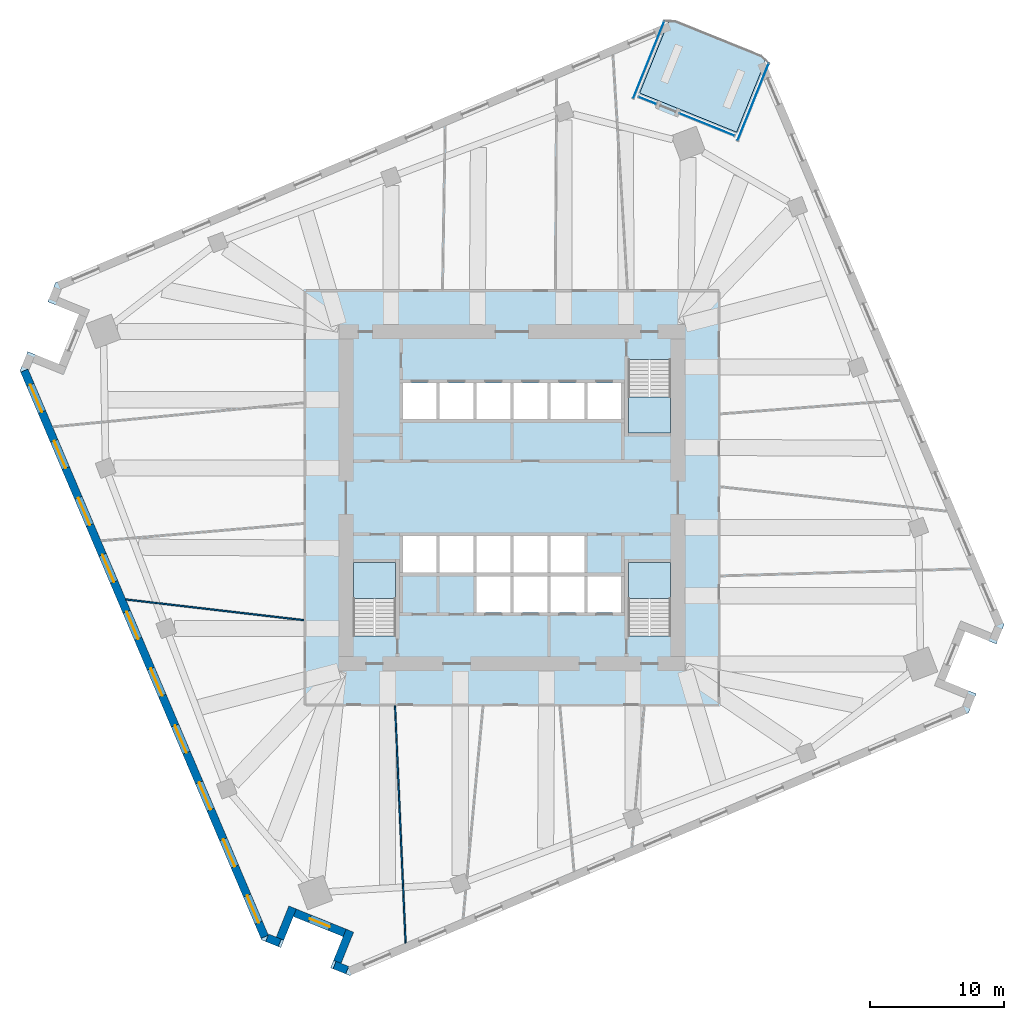
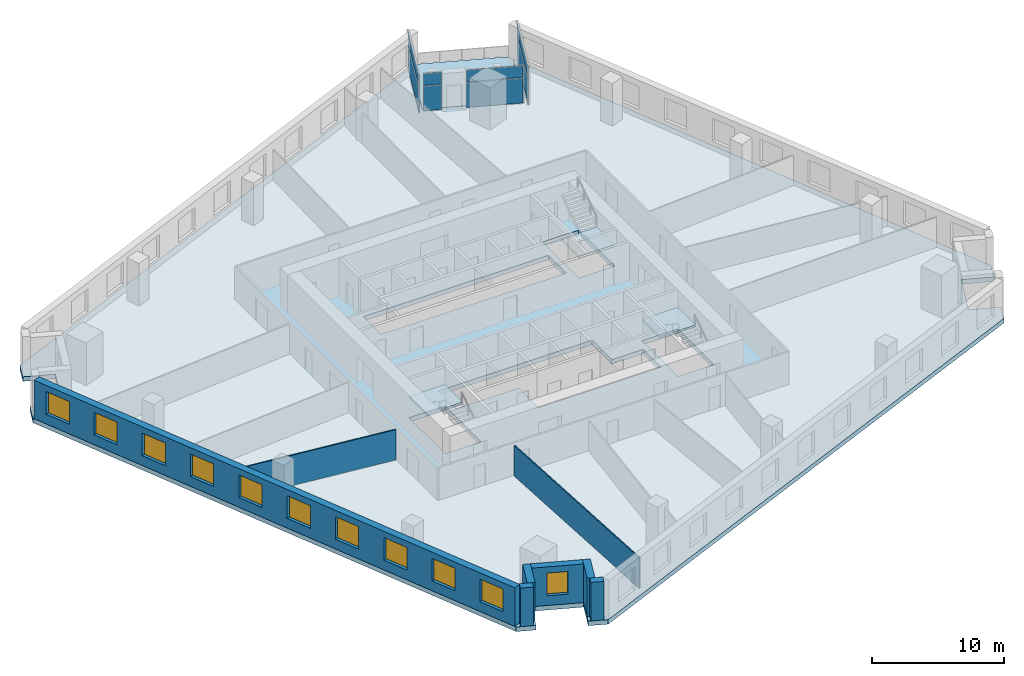
# One storey, part 5 of 12: 11 windows, 8 plates, 8 walls, 5 slabs, 11 openings, 7 elements without a shape of their own.
"""IFC4 building model written with IfcOpenShell, lengths in metres."""

from ifc_helpers import new_model, si_unit, direction, frame, frame_2d, origin, origin_2d, place, context, subcontext, project, spatial, polyline, rectangle, outline, extrude, material, layer, layer_set, type_object, element, fill, aggregate, save


model = new_model("IFC4")

# Units and contexts
model_context = context("Model", 3, precision=1e-05, world=origin(), true_north=direction((0.0, 1.0)))
body_context = subcontext(model_context, "Body", "Model", "MODEL_VIEW")
ifc_project = project(units=[si_unit("LENGTHUNIT", "METRE"), si_unit("AREAUNIT", "SQUARE_METRE"), si_unit("VOLUMEUNIT", "CUBIC_METRE"), si_unit("PLANEANGLEUNIT", "RADIAN"), si_unit("MASSUNIT", "GRAM", prefix="KILO")], contexts=[model_context])

# Site, building, storey
site_placement = place(None, origin())
site = spatial("IfcSite", under=ifc_project, at=site_placement, CompositionType="ELEMENT")
building_placement = place(site_placement, origin())
building = spatial("IfcBuilding", under=site, at=building_placement, Name="Dilmun Exchange Tower", CompositionType="ELEMENT")
storey_placement = place(building_placement, frame((0.0, 0.0, 118.10009765625)))
storey = spatial("IfcBuildingStorey", under=building, at=storey_placement, Name="L27", CompositionType="ELEMENT", Elevation=118.10009765625)

# Stair, slab
ifc_material_1 = material(Name="Concrete C40/50", Category="concrete")
stair_type = type_object("IfcStairType", Name="Exit stair 1500 half-turn", PredefinedType="HALF_TURN_STAIR", material=ifc_material_1)
stair_1_placement = place(storey_placement, origin())
stair_1 = element("IfcStair", 1, at=stair_1_placement, inside=storey, type_object=stair_type, Name="L27 Protected exit stair ST1", PredefinedType="HALF_TURN_STAIR")
ifc_layer_1 = layer(ifc_material_1, 0.199951171875)
ifc_layer_set_1 = layer_set([ifc_layer_1], Name="Concrete C40/50")
slab_type_1 = type_object("IfcSlabType", Name="Exit stair landing 200", PredefinedType="LANDING", material=ifc_layer_set_1)
slab_1_placement = place(storey_placement, frame((0.0, 0.0, 1.7998046875)))
slab_1 = element("IfcSlab", 2, at=slab_1_placement, type_object=slab_type_1, Name="ST1 landing 1", PredefinedType="LANDING", context=body_context, shape_type="SweptSolid", body=[
    extrude(outline(polyline([(8.64990234375, 7.5), (8.64990234375, 4.800048828125), (11.800048828125, 4.800048828125), (11.800048828125, 7.5), (8.64990234375, 7.5)])), origin(), (0.0, 0.0, 1.0), 0.2001953125),
])
aggregate(stair_1, [slab_1])

stair_2_placement = place(storey_placement, origin())
stair_2 = element("IfcStair", 3, at=stair_2_placement, inside=storey, type_object=stair_type, Name="L27 Protected exit stair ST2", PredefinedType="HALF_TURN_STAIR")
slab_2_placement = place(storey_placement, frame((0.0, 0.0, 1.7998046875)))
slab_2 = element("IfcSlab", 4, at=slab_2_placement, type_object=slab_type_1, Name="ST2 landing 1", PredefinedType="LANDING", context=body_context, shape_type="SweptSolid", body=[
    extrude(outline(polyline([(-8.64990234375, -7.5), (-8.64990234375, -4.800048828125), (-11.800048828125, -4.800048828125), (-11.800048828125, -7.5), (-8.64990234375, -7.5)])), origin(), (0.0, 0.0, 1.0), 0.2001953125),
])
aggregate(stair_2, [slab_2])

stair_3_placement = place(storey_placement, origin())
stair_3 = element("IfcStair", 5, at=stair_3_placement, inside=storey, type_object=stair_type, Name="L27 Protected exit stair ST3", PredefinedType="HALF_TURN_STAIR")
slab_3_placement = place(storey_placement, frame((0.0, 0.0, 1.7998046875)))
slab_3 = element("IfcSlab", 6, at=slab_3_placement, type_object=slab_type_1, Name="ST3 landing 1", PredefinedType="LANDING", context=body_context, shape_type="SweptSolid", body=[
    extrude(outline(polyline([(11.800048828125, -7.5), (11.800048828125, -4.800048828125), (8.64990234375, -4.800048828125), (8.64990234375, -7.5), (11.800048828125, -7.5)])), origin(), (0.0, 0.0, 1.0), 0.2001953125),
])
aggregate(stair_3, [slab_3])

# Curtain wall, plates
ifc_material_2 = material(Name="Anodised aluminium and clear glass", Category="aluminium")
curtain_wall_type = type_object("IfcCurtainWallType", Name="Garden corner glazing", PredefinedType="NOTDEFINED", material=ifc_material_2)
curtain_wall_1_placement = place(storey_placement, origin())
curtain_wall_1 = element("IfcCurtainWall", 7, at=curtain_wall_1_placement, inside=storey, type_object=curtain_wall_type, Name="Garden corner glazing run GC1.1", PredefinedType="NOTDEFINED")
ifc_material_3 = material(Name="Clear glass", Category="glass")
ifc_layer_2 = layer(ifc_material_3, 0.028076171875)
ifc_layer_set_2 = layer_set([ifc_layer_2], Name="Clear glass")
plate_type = type_object("IfcPlateType", Name="Garden corner glazing glass panel 28", PredefinedType="CURTAIN_PANEL", material=ifc_layer_set_2)
plate_1_placement = place(storey_placement, frame((17.931884765625, 29.425048828125, 0.059814453125), z_axis=(0.0, 0.0, 1.0), x_axis=(-0.374612333812, -0.927181535276, 0.0)))
plate_1 = element("IfcPlate", 8, at=plate_1_placement, type_object=plate_type, Name="GC1.1 panel 1.1", PredefinedType="CURTAIN_PANEL", context=body_context, shape_type="SweptSolid", body=[
    extrude(rectangle(XDim=6.12646484375, YDim=0.028076171875, at=origin_2d()), origin(), (0.0, 0.0, 1.0), 2.31005859375),
])
plate_2_placement = place(storey_placement, frame((17.931884765625, 29.425048828125, 2.4296875), z_axis=(0.0, 0.0, 1.0), x_axis=(-0.374612333812, -0.927181535276, 0.0)))
plate_2 = element("IfcPlate", 9, at=plate_2_placement, type_object=plate_type, Name="GC1.1 panel 1.2", PredefinedType="CURTAIN_PANEL", context=body_context, shape_type="SweptSolid", body=[
    extrude(rectangle(XDim=6.12646484375, YDim=0.028076171875, at=origin_2d()), origin(), (0.0, 0.0, 1.0), 1.090087890625),
])
aggregate(curtain_wall_1, [plate_1, plate_2])

curtain_wall_2_placement = place(storey_placement, origin())
curtain_wall_2 = element("IfcCurtainWall", 10, at=curtain_wall_2_placement, inside=storey, type_object=curtain_wall_type, Name="Garden corner glazing run GC2.1", PredefinedType="NOTDEFINED")
plate_3_placement = place(storey_placement, frame((14.514892578125, 27.7607421875, 0.059814453125), z_axis=(0.0, 0.0, 1.0), x_axis=(-0.927179054132, 0.374618474689, 0.0)))
plate_3 = element("IfcPlate", 11, at=plate_3_placement, type_object=plate_type, Name="GC2.1 panel 1.1", PredefinedType="CURTAIN_PANEL", context=body_context, shape_type="SweptSolid", body=[
    extrude(rectangle(XDim=4.369140625, YDim=0.028076171875, at=origin_2d()), origin(), (0.0, 0.0, 1.0), 2.31005859375),
])
plate_4_placement = place(storey_placement, frame((14.514892578125, 27.7607421875, 2.4296875), z_axis=(0.0, 0.0, 1.0), x_axis=(-0.927179054132, 0.374618474689, 0.0)))
plate_4 = element("IfcPlate", 12, at=plate_4_placement, type_object=plate_type, Name="GC2.1 panel 1.2", PredefinedType="CURTAIN_PANEL", context=body_context, shape_type="SweptSolid", body=[
    extrude(rectangle(XDim=4.369140625, YDim=0.028076171875, at=origin_2d()), origin(), (0.0, 0.0, 1.0), 1.090087890625),
])
aggregate(curtain_wall_2, [plate_3, plate_4])

curtain_wall_3_placement = place(storey_placement, origin())
curtain_wall_3 = element("IfcCurtainWall", 13, at=curtain_wall_3_placement, inside=storey, type_object=curtain_wall_type, Name="Garden corner glazing run GC2.3", PredefinedType="NOTDEFINED")
plate_5_placement = place(storey_placement, frame((10.07470703125, 29.5546875, 0.059814453125), z_axis=(0.0, 0.0, 1.0), x_axis=(-0.927192953177, 0.374584072778, 0.0)))
plate_5 = element("IfcPlate", 14, at=plate_5_placement, type_object=plate_type, Name="GC2.3 panel 1.1", PredefinedType="CURTAIN_PANEL", context=body_context, shape_type="SweptSolid", body=[
    extrude(rectangle(XDim=1.369140625, YDim=0.028076171875, at=origin_2d()), origin(), (0.0, 0.0, 1.0), 2.31005859375),
])
plate_6_placement = place(storey_placement, frame((10.07470703125, 29.5546875, 2.4296875), z_axis=(0.0, 0.0, 1.0), x_axis=(-0.927192953177, 0.374584072778, 0.0)))
plate_6 = element("IfcPlate", 15, at=plate_6_placement, type_object=plate_type, Name="GC2.3 panel 1.2", PredefinedType="CURTAIN_PANEL", context=body_context, shape_type="SweptSolid", body=[
    extrude(rectangle(XDim=1.369140625, YDim=0.028076171875, at=origin_2d()), origin(), (0.0, 0.0, 1.0), 1.090087890625),
])
aggregate(curtain_wall_3, [plate_5, plate_6])

curtain_wall_4_placement = place(storey_placement, origin())
curtain_wall_4 = element("IfcCurtainWall", 16, at=curtain_wall_4_placement, inside=storey, type_object=curtain_wall_type, Name="Garden corner glazing run GC3.1", PredefinedType="NOTDEFINED")
plate_7_placement = place(storey_placement, frame((10.163818359375, 32.563720703125, 0.059814453125), z_axis=(0.0, 0.0, 1.0), x_axis=(0.374598571247, 0.927187095693, 0.0)))
plate_7 = element("IfcPlate", 17, at=plate_7_placement, type_object=plate_type, Name="GC3.1 panel 1.1", PredefinedType="CURTAIN_PANEL", context=body_context, shape_type="SweptSolid", body=[
    extrude(rectangle(XDim=6.12646484375, YDim=0.028076171875, at=origin_2d()), origin(), (0.0, 0.0, 1.0), 2.31005859375),
])
plate_8_placement = place(storey_placement, frame((10.163818359375, 32.563720703125, 2.4296875), z_axis=(0.0, 0.0, 1.0), x_axis=(0.374598571247, 0.927187095693, 0.0)))
plate_8 = element("IfcPlate", 18, at=plate_8_placement, type_object=plate_type, Name="GC3.1 panel 1.2", PredefinedType="CURTAIN_PANEL", context=body_context, shape_type="SweptSolid", body=[
    extrude(rectangle(XDim=6.12646484375, YDim=0.028076171875, at=origin_2d()), origin(), (0.0, 0.0, 1.0), 1.090087890625),
])
aggregate(curtain_wall_4, [plate_7, plate_8])

# Slabs
ifc_layer_3 = layer(ifc_material_1, 0.419921875)
ifc_layer_set_3 = layer_set([ifc_layer_3], Name="Concrete C40/50")
slab_type_2 = type_object("IfcSlabType", Name="RC floor slab 420", PredefinedType="FLOOR", material=ifc_layer_set_3)
slab_4_placement = place(storey_placement, frame((0.0, 0.0, -0.420166015625)))
element("IfcSlab", 19, at=slab_4_placement, inside=storey, type_object=slab_type_2, Name="Floor slab", PredefinedType="FLOOR", context=body_context, shape_type="SweptSolid", body=[
    extrude(outline(polyline([(36.026611328125, -10.873291015625), (33.708740234375, -9.93701171875), (32.21044921875, -13.6455078125), (34.5283203125, -14.58203125), (33.953125, -16.005859375), (-12.072021484375, -35.54248046875), (-13.495849609375, -34.96728515625), (-12.559326171875, -32.649169921875), (-16.26806640625, -31.15087890625), (-17.20458984375, -33.46875), (-18.62841796875, -32.8935546875), (-36.60205078125, 9.44970703125), (-36.026611328125, 10.873291015625), (-33.708740234375, 9.93701171875), (-32.21044921875, 13.6455078125), (-34.5283203125, 14.58203125), (-33.953125, 16.005859375), (11.61181640625, 35.346923828125), (9.49658203125, 30.11181640625), (16.70849609375, 27.197998046875), (18.82373046875, 32.433349609375), (36.60205078125, -9.44970703125), (36.026611328125, -10.873291015625)]), holes=[polyline([(-8.64990234375, -4.800048828125), (-11.800048828125, -4.800048828125), (-11.800048828125, -10.294921875), (-8.64990234375, -10.294921875), (-8.64990234375, -4.800048828125)]), polyline([(11.800048828125, -4.800048828125), (8.64990234375, -4.800048828125), (8.64990234375, -10.294921875), (11.800048828125, -10.294921875), (11.800048828125, -4.800048828125)]), polyline([(-8.125, -2.85009765625), (-8.125, -5.550048828125), (-2.625, -5.550048828125), (-2.625, -8.550048828125), (8.125, -8.550048828125), (8.125, -5.85009765625), (5.375, -5.85009765625), (5.375, -2.85009765625), (-8.125, -2.85009765625)]), polyline([(-8.125, 5.85009765625), (8.125, 5.85009765625), (8.125, 8.550048828125), (-8.125, 8.550048828125), (-8.125, 5.85009765625)]), polyline([(8.64990234375, 10.294921875), (8.64990234375, 4.800048828125), (11.800048828125, 4.800048828125), (11.800048828125, 10.294921875), (8.64990234375, 10.294921875)])]), origin(), (0.0, 0.0, 1.0), 0.420166015625),
])
ifc_layer_4 = layer(ifc_material_1, 0.300048828125)
ifc_layer_set_4 = layer_set([ifc_layer_4], Name="Concrete C40/50")
slab_type_3 = type_object("IfcSlabType", Name="RC garden terrace slab 300", PredefinedType="FLOOR", material=ifc_layer_set_4)
slab_5_placement = place(storey_placement, frame((0.0, 0.0, -0.300048828125)))
element("IfcSlab", 20, at=slab_5_placement, inside=storey, type_object=slab_type_3, Name="Garden terrace slab", PredefinedType="FLOOR", context=body_context, shape_type="SweptSolid", body=[
    extrude(outline(polyline([(9.49658203125, 30.11181640625), (11.61181640625, 35.346923828125), (12.072021484375, 35.54248046875), (18.62841796875, 32.8935546875), (18.82373046875, 32.433349609375), (16.70849609375, 27.197998046875), (9.49658203125, 30.11181640625)])), origin(), (0.0, 0.0, 1.0), 0.300048828125),
])

# Walls
ifc_material_4 = material(Name="Partition 100")
ifc_layer_5 = layer(ifc_material_4, 0.10009765625)
ifc_layer_set_5 = layer_set([ifc_layer_5], Name="Partition 100")
wall_type_1 = type_object("IfcWallType", Name="Partition 100", PredefinedType="PARTITIONING", material=ifc_layer_set_5)
wall_1_placement = place(storey_placement, frame((-28.724853515625, -7.567138671875, 0.0), z_axis=(0.0, 0.0, 1.0), x_axis=(0.993302982739, -0.115538670939, 0.0)))
element("IfcWall", 21, at=wall_1_placement, inside=storey, type_object=wall_type_1, Name="Partition", PredefinedType="PARTITIONING", context=body_context, shape_type="SweptSolid", body=[
    extrude(rectangle(XDim=13.33349609375, YDim=0.10009765625, at=frame_2d((6.666748046875, 0.0))), origin(), (0.0, 0.0, 1.0), 2.829833984375),
])
wall_2_placement = place(storey_placement, frame((-8.70556640625, -15.477294921875, 0.0), z_axis=(0.0, 0.0, 1.0), x_axis=(0.044654718462, -0.999002480537, 0.0)))
element("IfcWall", 22, at=wall_2_placement, inside=storey, type_object=wall_type_1, Name="Partition", PredefinedType="PARTITIONING", context=body_context, shape_type="SweptSolid", body=[
    extrude(rectangle(XDim=17.664794921875, YDim=0.10009765625, at=frame_2d((8.83251953125, 0.0))), origin(), (0.0, 0.0, 1.0), 2.829833984375),
])

# Wall, openings, windows
ifc_material_5 = material(Name="Precast concrete C50/60", Category="concrete")
ifc_layer_6 = layer(ifc_material_5, 0.60009765625)
ifc_layer_set_6 = layer_set([ifc_layer_6], Name="Precast concrete C50/60")
wall_type_2 = type_object("IfcWallType", Name="Precast stone-clad wall 600", PredefinedType="STANDARD", material=ifc_layer_set_6)
wall_3_placement = place(storey_placement, frame((-36.27734375, 9.452392578125, 0.0), z_axis=(0.0, 0.0, 1.0), x_axis=(0.39073607599, -0.920502753347, 0.0)))
wall_3 = element("IfcWall", 23, at=wall_3_placement, inside=storey, type_object=wall_type_2, Name="Facade wall L27-09", PredefinedType="STANDARD", context=body_context, shape_type="SweptSolid", body=[
    extrude(rectangle(XDim=45.75146484375, YDim=0.60009765625, at=frame_2d((22.875732421875, 0.0))), origin(), (0.0, 0.0, 1.0), 3.579833984375),
])
opening_1_placement = place(wall_3_placement, frame((1.137939453125, 0.0, 0.89990234375)))
opening_1 = element("IfcOpeningElement", 24, at=opening_1_placement, cuts=wall_3, Name="Opening W220-210", PredefinedType="OPENING", context=body_context, shape_type="SweptSolid", body=[
    extrude(rectangle(XDim=2.199951171875, YDim=2.10009765625, at=frame_2d((1.10009765625, 1.050048828125))), frame((0.0, 0.31005859375, 0.0), z_axis=(0.0, -1.0, 0.0), x_axis=(1.0, 0.0, 0.0)), (0.0, 0.0, 1.0), 0.6201171875),
])
opening_2_placement = place(wall_3_placement, frame((5.67578125, 0.0, 0.89990234375)))
opening_2 = element("IfcOpeningElement", 25, at=opening_2_placement, cuts=wall_3, Name="Opening W220-210", PredefinedType="OPENING", context=body_context, shape_type="SweptSolid", body=[
    extrude(rectangle(XDim=2.199951171875, YDim=2.10009765625, at=frame_2d((1.10009765625, 1.050048828125))), frame((0.0, 0.31005859375, 0.0), z_axis=(0.0, -1.0, 0.0), x_axis=(1.0, 0.0, 0.0)), (0.0, 0.0, 1.0), 0.6201171875),
])
opening_3_placement = place(wall_3_placement, frame((10.275634765625, 0.0, 0.89990234375)))
opening_3 = element("IfcOpeningElement", 26, at=opening_3_placement, cuts=wall_3, Name="Opening W220-210", PredefinedType="OPENING", context=body_context, shape_type="SweptSolid", body=[
    extrude(rectangle(XDim=2.199951171875, YDim=2.10009765625, at=frame_2d((1.10009765625, 1.050048828125))), frame((0.0, 0.31005859375, 0.0), z_axis=(0.0, -1.0, 0.0), x_axis=(1.0, 0.0, 0.0)), (0.0, 0.0, 1.0), 0.6201171875),
])
opening_4_placement = place(wall_3_placement, frame((14.875732421875, 0.0, 0.89990234375)))
opening_4 = element("IfcOpeningElement", 27, at=opening_4_placement, cuts=wall_3, Name="Opening W220-210", PredefinedType="OPENING", context=body_context, shape_type="SweptSolid", body=[
    extrude(rectangle(XDim=2.199951171875, YDim=2.10009765625, at=frame_2d((1.10009765625, 1.050048828125))), frame((0.0, 0.31005859375, 0.0), z_axis=(0.0, -1.0, 0.0), x_axis=(1.0, 0.0, 0.0)), (0.0, 0.0, 1.0), 0.6201171875),
])
opening_5_placement = place(wall_3_placement, frame((19.4755859375, 0.0, 0.89990234375)))
opening_5 = element("IfcOpeningElement", 28, at=opening_5_placement, cuts=wall_3, Name="Opening W220-210", PredefinedType="OPENING", context=body_context, shape_type="SweptSolid", body=[
    extrude(rectangle(XDim=2.199951171875, YDim=2.10009765625, at=frame_2d((1.10009765625, 1.050048828125))), frame((0.0, 0.31005859375, 0.0), z_axis=(0.0, -1.0, 0.0), x_axis=(1.0, 0.0, 0.0)), (0.0, 0.0, 1.0), 0.6201171875),
])
opening_6_placement = place(wall_3_placement, frame((24.07568359375, 0.0, 0.89990234375)))
opening_6 = element("IfcOpeningElement", 29, at=opening_6_placement, cuts=wall_3, Name="Opening W220-210", PredefinedType="OPENING", context=body_context, shape_type="SweptSolid", body=[
    extrude(rectangle(XDim=2.199951171875, YDim=2.10009765625, at=frame_2d((1.10009765625, 1.050048828125))), frame((0.0, 0.31005859375, 0.0), z_axis=(0.0, -1.0, 0.0), x_axis=(1.0, 0.0, 0.0)), (0.0, 0.0, 1.0), 0.6201171875),
])
opening_7_placement = place(wall_3_placement, frame((28.67578125, 0.0, 0.89990234375)))
opening_7 = element("IfcOpeningElement", 30, at=opening_7_placement, cuts=wall_3, Name="Opening W220-210", PredefinedType="OPENING", context=body_context, shape_type="SweptSolid", body=[
    extrude(rectangle(XDim=2.199951171875, YDim=2.10009765625, at=frame_2d((1.10009765625, 1.050048828125))), frame((0.0, 0.31005859375, 0.0), z_axis=(0.0, -1.0, 0.0), x_axis=(1.0, 0.0, 0.0)), (0.0, 0.0, 1.0), 0.6201171875),
])
opening_8_placement = place(wall_3_placement, frame((33.275634765625, 0.0, 0.89990234375)))
opening_8 = element("IfcOpeningElement", 31, at=opening_8_placement, cuts=wall_3, Name="Opening W220-210", PredefinedType="OPENING", context=body_context, shape_type="SweptSolid", body=[
    extrude(rectangle(XDim=2.199951171875, YDim=2.10009765625, at=frame_2d((1.10009765625, 1.050048828125))), frame((0.0, 0.31005859375, 0.0), z_axis=(0.0, -1.0, 0.0), x_axis=(1.0, 0.0, 0.0)), (0.0, 0.0, 1.0), 0.6201171875),
])
opening_9_placement = place(wall_3_placement, frame((37.875732421875, 0.0, 0.89990234375)))
opening_9 = element("IfcOpeningElement", 32, at=opening_9_placement, cuts=wall_3, Name="Opening W220-210", PredefinedType="OPENING", context=body_context, shape_type="SweptSolid", body=[
    extrude(rectangle(XDim=2.199951171875, YDim=2.10009765625, at=frame_2d((1.10009765625, 1.050048828125))), frame((0.0, 0.31005859375, 0.0), z_axis=(0.0, -1.0, 0.0), x_axis=(1.0, 0.0, 0.0)), (0.0, 0.0, 1.0), 0.6201171875),
])
opening_10_placement = place(wall_3_placement, frame((42.41357421875, 0.0, 0.89990234375)))
opening_10 = element("IfcOpeningElement", 33, at=opening_10_placement, cuts=wall_3, Name="Opening W220-210", PredefinedType="OPENING", context=body_context, shape_type="SweptSolid", body=[
    extrude(rectangle(XDim=2.199951171875, YDim=2.10009765625, at=frame_2d((1.10009765625, 1.050048828125))), frame((0.0, 0.31005859375, 0.0), z_axis=(0.0, -1.0, 0.0), x_axis=(1.0, 0.0, 0.0)), (0.0, 0.0, 1.0), 0.6201171875),
])
ifc_material_6 = material(Name="Clear low-emissivity glass in aluminium frame", Category="aluminium")
window_type_1 = type_object("IfcWindowType", Name="Punched window 2200 x 2100", PartitioningType="DOUBLE_PANEL_VERTICAL", PredefinedType="WINDOW", material=ifc_material_6)
window_1_placement = place(opening_1_placement, origin())
window_1 = element("IfcWindow", 34, at=window_1_placement, inside=storey, type_object=window_type_1, Name="Window 10.1", OverallHeight=2.10009765625, OverallWidth=2.199951171875, PartitioningType="SINGLE_PANEL", PredefinedType="WINDOW", context=body_context, shape_type="SweptSolid", body=[
    extrude(rectangle(XDim=2.199951171875, YDim=2.10009765625, at=frame_2d((1.10009765625, 1.050048828125))), frame((0.0, 0.030029296875, 0.0), z_axis=(0.0, -1.0, 0.0), x_axis=(1.0, 0.0, 0.0)), (0.0, 0.0, 1.0), 0.06005859375),
])
fill(opening_1, window_1)
window_2_placement = place(opening_2_placement, origin())
window_2 = element("IfcWindow", 35, at=window_2_placement, inside=storey, type_object=window_type_1, Name="Window 10.2", OverallHeight=2.10009765625, OverallWidth=2.199951171875, PartitioningType="SINGLE_PANEL", PredefinedType="WINDOW", context=body_context, shape_type="SweptSolid", body=[
    extrude(rectangle(XDim=2.199951171875, YDim=2.10009765625, at=frame_2d((1.10009765625, 1.050048828125))), frame((0.0, 0.030029296875, 0.0), z_axis=(0.0, -1.0, 0.0), x_axis=(1.0, 0.0, 0.0)), (0.0, 0.0, 1.0), 0.06005859375),
])
fill(opening_2, window_2)
window_3_placement = place(opening_3_placement, origin())
window_3 = element("IfcWindow", 36, at=window_3_placement, inside=storey, type_object=window_type_1, Name="Window 10.3", OverallHeight=2.10009765625, OverallWidth=2.199951171875, PartitioningType="SINGLE_PANEL", PredefinedType="WINDOW", context=body_context, shape_type="SweptSolid", body=[
    extrude(rectangle(XDim=2.199951171875, YDim=2.10009765625, at=frame_2d((1.10009765625, 1.050048828125))), frame((0.0, 0.030029296875, 0.0), z_axis=(0.0, -1.0, 0.0), x_axis=(1.0, 0.0, 0.0)), (0.0, 0.0, 1.0), 0.06005859375),
])
fill(opening_3, window_3)
window_4_placement = place(opening_4_placement, origin())
window_4 = element("IfcWindow", 37, at=window_4_placement, inside=storey, type_object=window_type_1, Name="Window 10.4", OverallHeight=2.10009765625, OverallWidth=2.199951171875, PartitioningType="SINGLE_PANEL", PredefinedType="WINDOW", context=body_context, shape_type="SweptSolid", body=[
    extrude(rectangle(XDim=2.199951171875, YDim=2.10009765625, at=frame_2d((1.10009765625, 1.050048828125))), frame((0.0, 0.030029296875, 0.0), z_axis=(0.0, -1.0, 0.0), x_axis=(1.0, 0.0, 0.0)), (0.0, 0.0, 1.0), 0.06005859375),
])
fill(opening_4, window_4)
window_5_placement = place(opening_5_placement, origin())
window_5 = element("IfcWindow", 38, at=window_5_placement, inside=storey, type_object=window_type_1, Name="Window 10.5", OverallHeight=2.10009765625, OverallWidth=2.199951171875, PartitioningType="SINGLE_PANEL", PredefinedType="WINDOW", context=body_context, shape_type="SweptSolid", body=[
    extrude(rectangle(XDim=2.199951171875, YDim=2.10009765625, at=frame_2d((1.10009765625, 1.050048828125))), frame((0.0, 0.030029296875, 0.0), z_axis=(0.0, -1.0, 0.0), x_axis=(1.0, 0.0, 0.0)), (0.0, 0.0, 1.0), 0.06005859375),
])
fill(opening_5, window_5)
window_6_placement = place(opening_6_placement, origin())
window_6 = element("IfcWindow", 39, at=window_6_placement, inside=storey, type_object=window_type_1, Name="Window 10.6", OverallHeight=2.10009765625, OverallWidth=2.199951171875, PartitioningType="SINGLE_PANEL", PredefinedType="WINDOW", context=body_context, shape_type="SweptSolid", body=[
    extrude(rectangle(XDim=2.199951171875, YDim=2.10009765625, at=frame_2d((1.10009765625, 1.050048828125))), frame((0.0, 0.030029296875, 0.0), z_axis=(0.0, -1.0, 0.0), x_axis=(1.0, 0.0, 0.0)), (0.0, 0.0, 1.0), 0.06005859375),
])
fill(opening_6, window_6)
window_7_placement = place(opening_7_placement, origin())
window_7 = element("IfcWindow", 40, at=window_7_placement, inside=storey, type_object=window_type_1, Name="Window 10.7", OverallHeight=2.10009765625, OverallWidth=2.199951171875, PartitioningType="SINGLE_PANEL", PredefinedType="WINDOW", context=body_context, shape_type="SweptSolid", body=[
    extrude(rectangle(XDim=2.199951171875, YDim=2.10009765625, at=frame_2d((1.10009765625, 1.050048828125))), frame((0.0, 0.030029296875, 0.0), z_axis=(0.0, -1.0, 0.0), x_axis=(1.0, 0.0, 0.0)), (0.0, 0.0, 1.0), 0.06005859375),
])
fill(opening_7, window_7)
window_8_placement = place(opening_8_placement, origin())
window_8 = element("IfcWindow", 41, at=window_8_placement, inside=storey, type_object=window_type_1, Name="Window 10.8", OverallHeight=2.10009765625, OverallWidth=2.199951171875, PartitioningType="SINGLE_PANEL", PredefinedType="WINDOW", context=body_context, shape_type="SweptSolid", body=[
    extrude(rectangle(XDim=2.199951171875, YDim=2.10009765625, at=frame_2d((1.10009765625, 1.050048828125))), frame((0.0, 0.030029296875, 0.0), z_axis=(0.0, -1.0, 0.0), x_axis=(1.0, 0.0, 0.0)), (0.0, 0.0, 1.0), 0.06005859375),
])
fill(opening_8, window_8)
window_9_placement = place(opening_9_placement, origin())
window_9 = element("IfcWindow", 42, at=window_9_placement, inside=storey, type_object=window_type_1, Name="Window 10.9", OverallHeight=2.10009765625, OverallWidth=2.199951171875, PartitioningType="SINGLE_PANEL", PredefinedType="WINDOW", context=body_context, shape_type="SweptSolid", body=[
    extrude(rectangle(XDim=2.199951171875, YDim=2.10009765625, at=frame_2d((1.10009765625, 1.050048828125))), frame((0.0, 0.030029296875, 0.0), z_axis=(0.0, -1.0, 0.0), x_axis=(1.0, 0.0, 0.0)), (0.0, 0.0, 1.0), 0.06005859375),
])
fill(opening_9, window_9)
window_10_placement = place(opening_10_placement, origin())
window_10 = element("IfcWindow", 43, at=window_10_placement, inside=storey, type_object=window_type_1, Name="Window 10.10", OverallHeight=2.10009765625, OverallWidth=2.199951171875, PartitioningType="SINGLE_PANEL", PredefinedType="WINDOW", context=body_context, shape_type="SweptSolid", body=[
    extrude(rectangle(XDim=2.199951171875, YDim=2.10009765625, at=frame_2d((1.10009765625, 1.050048828125))), frame((0.0, 0.030029296875, 0.0), z_axis=(0.0, -1.0, 0.0), x_axis=(1.0, 0.0, 0.0)), (0.0, 0.0, 1.0), 0.06005859375),
])
fill(opening_10, window_10)

# Walls
wall_4_placement = place(storey_placement, frame((-18.21533203125, -32.73681640625, 0.0), z_axis=(0.0, 0.0, 1.0), x_axis=(0.92717251323, -0.374634662987, 0.0)))
element("IfcWall", 44, at=wall_4_placement, inside=storey, type_object=wall_type_2, Name="Facade wall L27-10", PredefinedType="STANDARD", context=body_context, shape_type="SweptSolid", body=[
    extrude(rectangle(XDim=1.011474609375, YDim=0.60009765625, at=frame_2d((0.505859375, 0.0))), origin(), (0.0, 0.0, 1.0), 3.579833984375),
])
wall_5_placement = place(storey_placement, frame((-17.258056640625, -32.800048828125, 0.0), z_axis=(0.0, 0.0, 1.0), x_axis=(0.374621286461, 0.927177918056, 0.0)))
element("IfcWall", 45, at=wall_5_placement, inside=storey, type_object=wall_type_2, Name="Facade wall L27-11", PredefinedType="STANDARD", context=body_context, shape_type="SweptSolid", body=[
    extrude(rectangle(XDim=2.5, YDim=0.60009765625, at=frame_2d((1.25, 0.0))), origin(), (0.0, 0.0, 1.0), 3.579833984375),
])

# Wall, opening, window
wall_6_placement = place(storey_placement, frame((-16.15576171875, -30.872802734375, 0.0), z_axis=(0.0, 0.0, 1.0), x_axis=(0.927195776646, -0.374577083883, 0.0)))
wall_6 = element("IfcWall", 46, at=wall_6_placement, inside=storey, type_object=wall_type_2, Name="Facade wall L27-12", PredefinedType="STANDARD", context=body_context, shape_type="SweptSolid", body=[
    extrude(rectangle(XDim=4.0, YDim=0.60009765625, at=frame_2d((2.0, 0.0))), origin(), (0.0, 0.0, 1.0), 3.579833984375),
])
opening_11_placement = place(wall_6_placement, frame((1.199951171875, 0.0, 0.89990234375)))
opening_11 = element("IfcOpeningElement", 47, at=opening_11_placement, cuts=wall_6, Name="Opening W160-210", PredefinedType="OPENING", context=body_context, shape_type="SweptSolid", body=[
    extrude(rectangle(XDim=1.60009765625, YDim=2.10009765625, at=frame_2d((0.800048828125, 1.050048828125))), frame((0.0, 0.31005859375, 0.0), z_axis=(0.0, -1.0, 0.0), x_axis=(1.0, 0.0, 0.0)), (0.0, 0.0, 1.0), 0.6201171875),
])
window_type_2 = type_object("IfcWindowType", Name="Punched window 1600 x 2100", PartitioningType="DOUBLE_PANEL_VERTICAL", PredefinedType="WINDOW", material=ifc_material_6)
window_11_placement = place(opening_11_placement, origin())
window_11 = element("IfcWindow", 48, at=window_11_placement, inside=storey, type_object=window_type_2, Name="Window 13.1", OverallHeight=2.10009765625, OverallWidth=1.60009765625, PartitioningType="SINGLE_PANEL", PredefinedType="WINDOW", context=body_context, shape_type="SweptSolid", body=[
    extrude(rectangle(XDim=1.60009765625, YDim=2.10009765625, at=frame_2d((0.800048828125, 1.050048828125))), frame((0.0, 0.030029296875, 0.0), z_axis=(0.0, -1.0, 0.0), x_axis=(1.0, 0.0, 0.0)), (0.0, 0.0, 1.0), 0.06005859375),
])
fill(opening_11, window_11)

# Walls
wall_7_placement = place(storey_placement, frame((-12.056396484375, -32.205322265625, 0.0), z_axis=(0.0, 0.0, 1.0), x_axis=(-0.374621286461, -0.927177918056, 0.0)))
element("IfcWall", 49, at=wall_7_placement, inside=storey, type_object=wall_type_2, Name="Facade wall L27-13", PredefinedType="STANDARD", context=body_context, shape_type="SweptSolid", body=[
    extrude(rectangle(XDim=2.5, YDim=0.60009765625, at=frame_2d((1.25, 0.0))), origin(), (0.0, 0.0, 1.0), 3.579833984375),
])
wall_8_placement = place(storey_placement, frame((-13.197998046875, -34.763916015625, 0.0), z_axis=(0.0, 0.0, 1.0), x_axis=(0.92713862273, -0.374718526687, 0.0)))
element("IfcWall", 50, at=wall_8_placement, inside=storey, type_object=wall_type_2, Name="Facade wall L27-14", PredefinedType="STANDARD", context=body_context, shape_type="SweptSolid", body=[
    extrude(rectangle(XDim=1.01123046875, YDim=0.60009765625, at=frame_2d((0.505615234375, 0.0))), origin(), (0.0, 0.0, 1.0), 3.579833984375),
])

save(model, "model.ifc")
